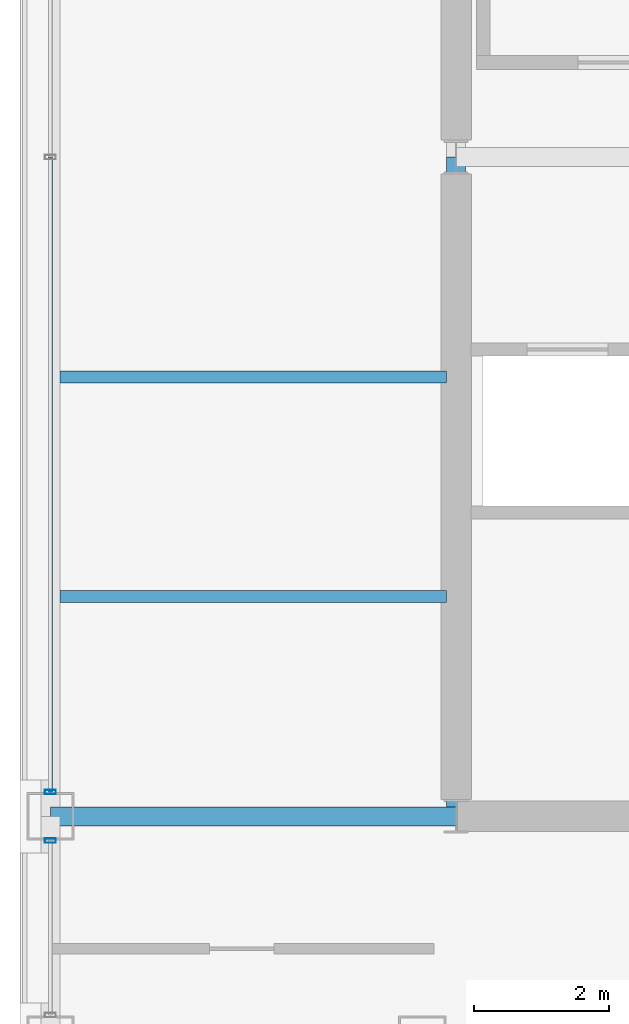
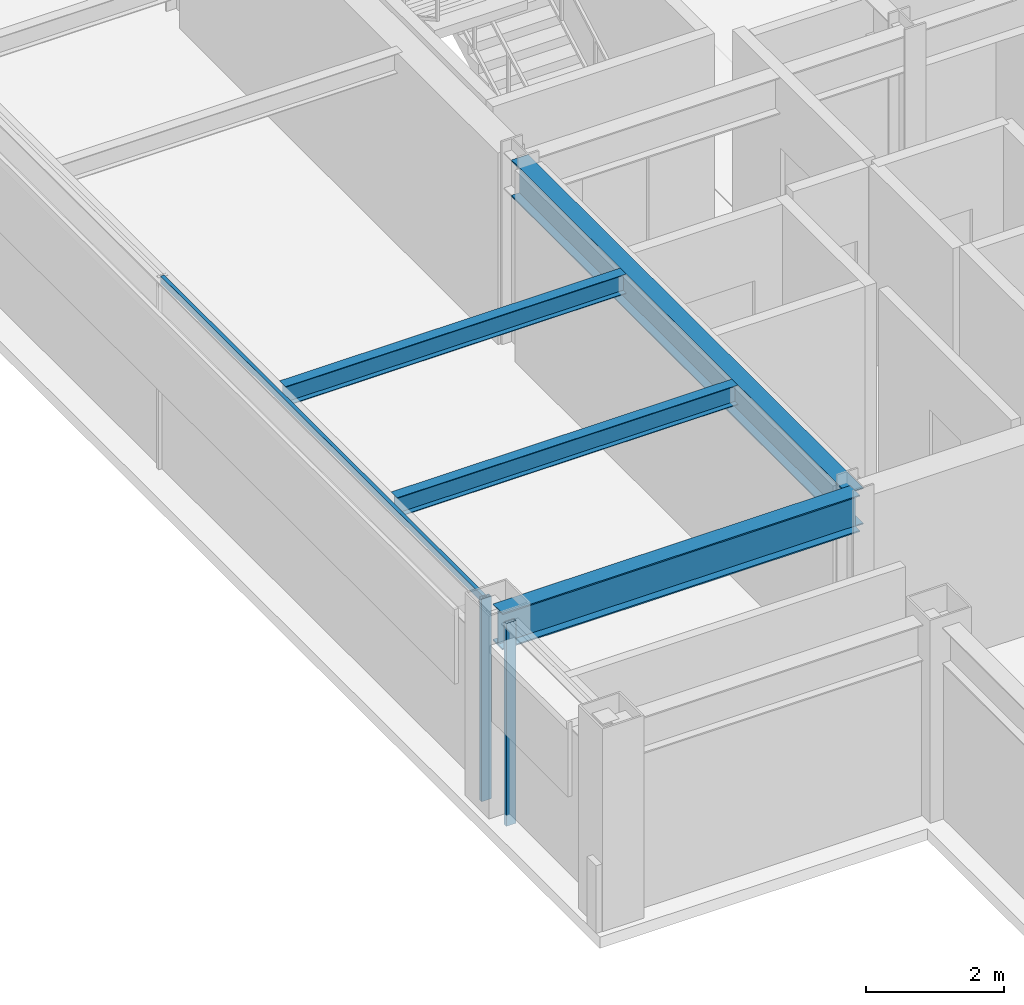
# One storey, part 4 of 30: 4 beams, 3 members, 2 elements without a shape of their own.
"""IFC4 building model written with IfcOpenShell, lengths in metres."""

from ifc_helpers import new_model, si_unit, direction, frame, origin, origin_2d, place, context, subcontext, project, spatial, hollow_rectangle, i_section, extrude, material, layer, layer_set, material_profile, profile_set, type_object, element, aggregate, save


model = new_model("IFC4")

# Units and contexts
model_context = context("Model", 3, precision=1e-05, world=origin(), true_north=direction((0.0, 1.0)))
body_context = subcontext(model_context, "Body", "Model", "MODEL_VIEW")
ifc_project = project(units=[si_unit("LENGTHUNIT", "METRE"), si_unit("AREAUNIT", "SQUARE_METRE"), si_unit("VOLUMEUNIT", "CUBIC_METRE"), si_unit("PLANEANGLEUNIT", "RADIAN"), si_unit("MASSUNIT", "GRAM", prefix="KILO")], contexts=[model_context])

# Site, building, storey
site_placement = place(None, origin())
site = spatial("IfcSite", under=ifc_project, at=site_placement, CompositionType="ELEMENT")
building_placement = place(site_placement, origin())
building = spatial("IfcBuilding", under=site, at=building_placement, Name="Brelmoor Portico Tower", CompositionType="ELEMENT")
storey_placement = place(building_placement, frame((0.0, 0.0, 198.300048828125)))
storey = spatial("IfcBuildingStorey", under=building, at=storey_placement, Name="L52", CompositionType="ELEMENT", Elevation=198.300048828125)

# Beams
ifc_material_1 = material(Name="Steel Q355B", Category="steel")
ifc_material_profile_1 = material_profile(ifc_material_1, i_section(OverallWidth=0.175048828125, OverallDepth=0.35009765625, WebThickness=0.007080078125, FlangeThickness=0.010986328125, at=origin_2d()), Name="HN 350x175x7x11")
ifc_profile_set_1 = profile_set([ifc_material_profile_1], Name="Steel Q355B")
beam_type_1 = type_object("IfcBeamType", Name="BM-JS-350", PredefinedType="JOIST", material=ifc_profile_set_1)
for number, where, z_axis, x_axis, name in (
    (1, (-20.409912109375, -6.5, 3.224853515625), (1.0, 0.0, 0.0), (0.0, 1.0, 0.0), "L52 Secondary Wing Joist JS-W05"),
    (2, (-20.409912109375, -3.25, 3.224853515625), (1.0, 0.0, 0.0), (0.0, 1.0, 0.0), "L52 Secondary Wing Joist JS-W06"),
):
    element("IfcBeam", number, at=place(storey_placement, frame(where, z_axis=z_axis, x_axis=x_axis)), inside=storey, type_object=beam_type_1, Name=name, PredefinedType="JOIST", context=body_context, shape_type="SweptSolid", body=[
        extrude(i_section(OverallWidth=0.175048828125, OverallDepth=0.35009765625, WebThickness=0.007080078125, FlangeThickness=0.010986328125, at=origin_2d()), origin(), (0.0, 0.0, 1.0), 5.719970703125),
    ])
ifc_material_profile_2 = material_profile(ifc_material_1, i_section(OverallWidth=0.280029296875, OverallDepth=0.64990234375, WebThickness=0.012939453125, FlangeThickness=0.02197265625, at=origin_2d()), Name="HN 650x280x13x22")
ifc_profile_set_2 = profile_set([ifc_material_profile_2], Name="Steel Q355B")
beam_type_2 = type_object("IfcBeamType", Name="BM-PG-650", PredefinedType="BEAM", material=ifc_profile_set_2)
beam_1_placement = place(storey_placement, frame((-14.550048828125, -9.75, 3.074951171875), z_axis=(0.0, 1.0, 0.0), x_axis=(-1.0, 0.0, 0.0)))
element("IfcBeam", 3, at=beam_1_placement, inside=storey, type_object=beam_type_2, Name="L52 Primary Floor Girder PG-01", PredefinedType="BEAM", context=body_context, shape_type="SweptSolid", body=[
    extrude(i_section(OverallWidth=0.280029296875, OverallDepth=0.64990234375, WebThickness=0.012939453125, FlangeThickness=0.02197265625, at=origin_2d()), origin(), (0.0, 0.0, 1.0), 9.75),
])
beam_2_placement = place(storey_placement, frame((-20.550048828125, -9.75, 3.074951171875), z_axis=(1.0, 0.0, 0.0), x_axis=(0.0, 1.0, 0.0)))
element("IfcBeam", 4, at=beam_2_placement, inside=storey, type_object=beam_type_2, Name="L52 Primary Floor Girder PG-11", PredefinedType="BEAM", context=body_context, shape_type="SweptSolid", body=[
    extrude(i_section(OverallWidth=0.280029296875, OverallDepth=0.64990234375, WebThickness=0.012939453125, FlangeThickness=0.02197265625, at=origin_2d()), origin(), (0.0, 0.0, 1.0), 6.0),
])

# Curtain wall, member
ifc_material_2 = material(Name="Anodised Aluminium Alloy 6063-T6", Category="aluminium")
ifc_layer = layer(ifc_material_2, 0.179931640625)
ifc_layer_set = layer_set([ifc_layer], Name="Anodised Aluminium Alloy 6063-T6")
curtain_wall_type = type_object("IfcCurtainWallType", Name="CW-TOWER-Z3-XB", PredefinedType="NOTDEFINED", material=ifc_layer_set)
curtain_wall_1_placement = place(storey_placement, origin())
curtain_wall_1 = element("IfcCurtainWall", 5, at=curtain_wall_1_placement, inside=storey, type_object=curtain_wall_type, Name="L52 Curtain Wall CW-L52-03-1", PredefinedType="NOTDEFINED")
ifc_material_profile_3 = material_profile(ifc_material_2, hollow_rectangle(XDim=0.06494140625, YDim=0.1650390625, WallThickness=0.00390625, at=origin_2d()), Name="ALU MULLION 65x165")
ifc_profile_set_3 = profile_set([ifc_material_profile_3], Name="Anodised Aluminium Alloy 6063-T6")
member_type_1 = type_object("IfcMemberType", Name="MB-CW-MULL-165", PredefinedType="MULLION", material=ifc_profile_set_3)
member_1_placement = place(storey_placement, frame((-20.550048828125, -10.110107421875, -0.199951171875), z_axis=(0.0, 0.0, 1.0), x_axis=(0.0, 1.0, 0.0)))
member_1 = element("IfcMember", 6, at=member_1_placement, type_object=member_type_1, Name="CW-L52-03-1 Mullion 01", PredefinedType="MULLION", context=body_context, shape_type="SweptSolid", body=[
    extrude(hollow_rectangle(XDim=0.06494140625, YDim=0.1650390625, WallThickness=0.00390625, at=origin_2d()), origin(), (0.0, 0.0, 1.0), 3.599853515625),
])
aggregate(curtain_wall_1, [member_1])

# Curtain wall, members
curtain_wall_2_placement = place(storey_placement, origin())
curtain_wall_2 = element("IfcCurtainWall", 7, at=curtain_wall_2_placement, inside=storey, type_object=curtain_wall_type, Name="L52 Curtain Wall CW-L52-03-2", PredefinedType="NOTDEFINED")
member_2_placement = place(storey_placement, frame((-20.550048828125, -9.389892578125, -0.199951171875), z_axis=(0.0, 0.0, 1.0), x_axis=(0.0, 1.0, 0.0)))
member_2 = element("IfcMember", 8, at=member_2_placement, type_object=member_type_1, Name="CW-L52-03-2 Mullion 00", PredefinedType="MULLION", context=body_context, shape_type="SweptSolid", body=[
    extrude(hollow_rectangle(XDim=0.06494140625, YDim=0.1650390625, WallThickness=0.00390625, at=origin_2d()), origin(), (0.0, 0.0, 1.0), 3.599853515625),
])
ifc_material_profile_4 = material_profile(ifc_material_2, hollow_rectangle(XDim=0.06005859375, YDim=0.125, WallThickness=0.00341796875, at=origin_2d()), Name="ALU TRANSOM 60x125")
ifc_profile_set_4 = profile_set([ifc_material_profile_4], Name="Anodised Aluminium Alloy 6063-T6")
member_type_2 = type_object("IfcMemberType", Name="MB-CW-TRAN-125", PredefinedType="USERDEFINED", material=ifc_profile_set_4)
member_3_placement = place(storey_placement, frame((-20.550048828125, -9.389892578125, 3.33740234375), z_axis=(0.0, 1.0, 0.0), x_axis=(-1.0, 0.0, 0.0)))
member_3 = element("IfcMember", 9, at=member_3_placement, type_object=member_type_2, Name="CW-L52-03-2 Transom 1-00", ObjectType="TRANSOM", PredefinedType="USERDEFINED", context=body_context, shape_type="SweptSolid", body=[
    extrude(hollow_rectangle(XDim=0.06005859375, YDim=0.125, WallThickness=0.00341796875, at=origin_2d()), origin(), (0.0, 0.0, 1.0), 9.389892578125),
])
aggregate(curtain_wall_2, [member_2, member_3])

save(model, "model.ifc")
